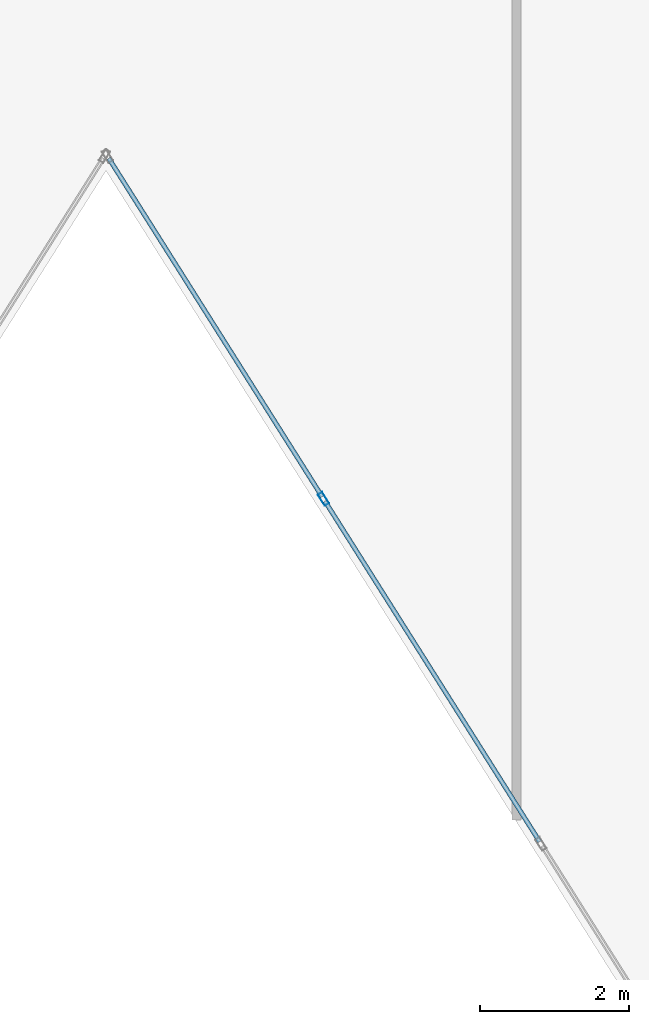
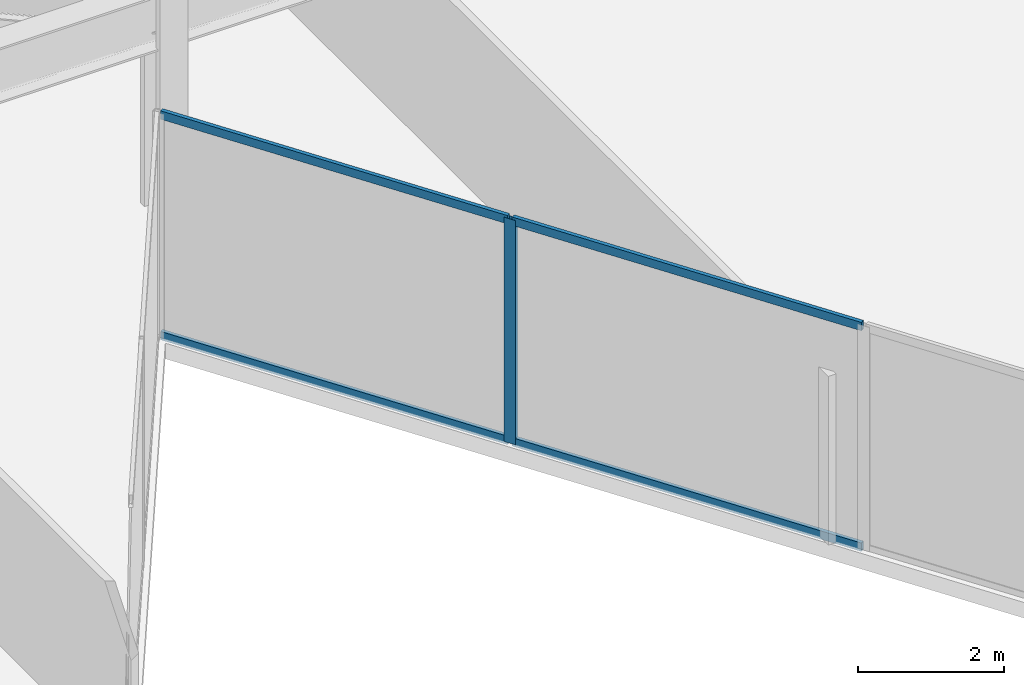
# One storey, part 15 of 25: 5 members, 1 element without a shape of its own.
"""IFC4 building model written with IfcOpenShell, lengths in metres."""

from ifc_helpers import new_model, si_unit, direction, frame, origin, origin_2d, place, context, subcontext, project, spatial, hollow_rectangle, extrude, material, layer, layer_set, material_profile, profile_set, type_object, element, aggregate, save


model = new_model("IFC4")

# Units and contexts
model_context = context("Model", 3, precision=1e-05, world=origin(), true_north=direction((0.0, 1.0)))
body_context = subcontext(model_context, "Body", "Model", "MODEL_VIEW")
ifc_project = project(units=[si_unit("LENGTHUNIT", "METRE"), si_unit("AREAUNIT", "SQUARE_METRE"), si_unit("VOLUMEUNIT", "CUBIC_METRE"), si_unit("PLANEANGLEUNIT", "RADIAN"), si_unit("MASSUNIT", "GRAM", prefix="KILO")], contexts=[model_context])

# Site, building, storey
site_placement = place(None, origin())
site = spatial("IfcSite", under=ifc_project, at=site_placement, CompositionType="ELEMENT")
building_placement = place(site_placement, origin())
building = spatial("IfcBuilding", under=site, at=building_placement, Name="Kravanh Interchange Tower", CompositionType="ELEMENT")
storey_placement = place(building_placement, frame((0.0, 0.0, 33.5)))
storey = spatial("IfcBuildingStorey", under=building, at=storey_placement, Name="L07", CompositionType="ELEMENT", Elevation=33.5)

# Curtain wall, members
ifc_material_1 = material(Name="Anodised Bronze Aluminium", Category="aluminium")
ifc_layer = layer(ifc_material_1, 0.179931640625)
ifc_layer_set = layer_set([ifc_layer], Name="Unitised Curtain Wall System CW-Z1 Lower Office")
curtain_wall_type = type_object("IfcCurtainWallType", Name="Unitised Curtain Wall System CW-Z1 Lower Office", PredefinedType="NOTDEFINED", material=ifc_layer_set)
curtain_wall_placement = place(storey_placement, origin())
curtain_wall = element("IfcCurtainWall", 1, at=curtain_wall_placement, inside=storey, type_object=curtain_wall_type, Name="L07 Unitised Curtain Wall CW-L07-04", PredefinedType="NOTDEFINED")
ifc_material_2 = material(Name="Anodised Bronze Aluminium", Category="aluminium")
ifc_material_profile_1 = material_profile(ifc_material_2, hollow_rectangle(XDim=0.070068359375, YDim=0.179931640625, WallThickness=0.00390625, at=origin_2d()), Name="ALU70X180X4")
ifc_profile_set_1 = profile_set([ifc_material_profile_1], Name="Anodised Bronze Aluminium")
member_type_1 = type_object("IfcMemberType", Name="Curtain Wall Mullion ALU70X180X4 Bronze", PredefinedType="MULLION", material=ifc_profile_set_1)
member_1_placement = place(storey_placement, frame((39.913330078125, 19.60400390625, 0.0), z_axis=(0.0, 0.0, 1.0), x_axis=(-0.845925530786, -0.53330103728, 0.0)))
member_1 = element("IfcMember", 2, at=member_1_placement, type_object=member_type_1, Name="CW-Z1 mullion 5", PredefinedType="MULLION", context=body_context, shape_type="SweptSolid", body=[
    extrude(hollow_rectangle(XDim=0.070068359375, YDim=0.179931640625, WallThickness=0.00390625, at=origin_2d()), origin(), (0.0, 0.0, 1.0), 3.739990234375),
])
ifc_material_3 = material(Name="Anodised Bronze Aluminium", Category="aluminium")
ifc_material_profile_2 = material_profile(ifc_material_3, hollow_rectangle(XDim=0.06005859375, YDim=0.139892578125, WallThickness=0.00390625, at=origin_2d()), Name="ALU60X140X4")
ifc_profile_set_2 = profile_set([ifc_material_profile_2], Name="Anodised Bronze Aluminium")
member_type_2 = type_object("IfcMemberType", Name="Curtain Wall Transom ALU60X140X4 Bronze", PredefinedType="USERDEFINED", material=ifc_profile_set_2)
member_2_placement = place(storey_placement, frame((42.807861328125, 15.0126953125, 0.030029296875), z_axis=(-0.533311487456, 0.84591894254, 0.0), x_axis=(-0.84591894254, -0.533311487456, 0.0)))
member_2 = element("IfcMember", 3, at=member_2_placement, type_object=member_type_2, Name="CW-Z1 transom 4.1", ObjectType="TRANSOM", PredefinedType="USERDEFINED", context=body_context, shape_type="SweptSolid", body=[
    extrude(hollow_rectangle(XDim=0.06005859375, YDim=0.139892578125, WallThickness=0.00390625, at=origin_2d()), origin(), (0.0, 0.0, 1.0), 5.392578125),
])
member_3_placement = place(storey_placement, frame((42.807861328125, 15.0126953125, 3.7099609375), z_axis=(-0.533311487456, 0.84591894254, 0.0), x_axis=(-0.84591894254, -0.533311487456, 0.0)))
member_3 = element("IfcMember", 4, at=member_3_placement, type_object=member_type_2, Name="CW-Z1 transom 4.2", ObjectType="TRANSOM", PredefinedType="USERDEFINED", context=body_context, shape_type="SweptSolid", body=[
    extrude(hollow_rectangle(XDim=0.06005859375, YDim=0.139892578125, WallThickness=0.00390625, at=origin_2d()), origin(), (0.0, 0.0, 1.0), 5.392578125),
])
member_4_placement = place(storey_placement, frame((39.89453125, 19.633544921875, 0.030029296875), z_axis=(-0.533288163518, 0.845933646719, 0.0), x_axis=(-0.845933646719, -0.533288163518, 0.0)))
member_4 = element("IfcMember", 5, at=member_4_placement, type_object=member_type_2, Name="CW-Z1 transom 5.1", ObjectType="TRANSOM", PredefinedType="USERDEFINED", context=body_context, shape_type="SweptSolid", body=[
    extrude(hollow_rectangle(XDim=0.06005859375, YDim=0.139892578125, WallThickness=0.00390625, at=origin_2d()), origin(), (0.0, 0.0, 1.0), 5.357666015625),
])
member_5_placement = place(storey_placement, frame((39.89453125, 19.633544921875, 3.7099609375), z_axis=(-0.533288163518, 0.845933646719, 0.0), x_axis=(-0.845933646719, -0.533288163518, 0.0)))
member_5 = element("IfcMember", 6, at=member_5_placement, type_object=member_type_2, Name="CW-Z1 transom 5.2", ObjectType="TRANSOM", PredefinedType="USERDEFINED", context=body_context, shape_type="SweptSolid", body=[
    extrude(hollow_rectangle(XDim=0.06005859375, YDim=0.139892578125, WallThickness=0.00390625, at=origin_2d()), origin(), (0.0, 0.0, 1.0), 5.357666015625),
])
aggregate(curtain_wall, [member_1, member_2, member_3, member_4, member_5])

save(model, "model.ifc")
